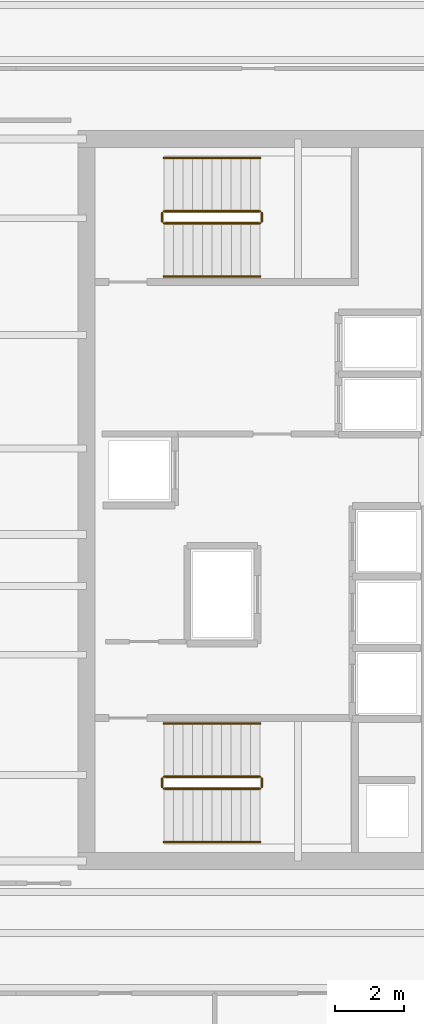
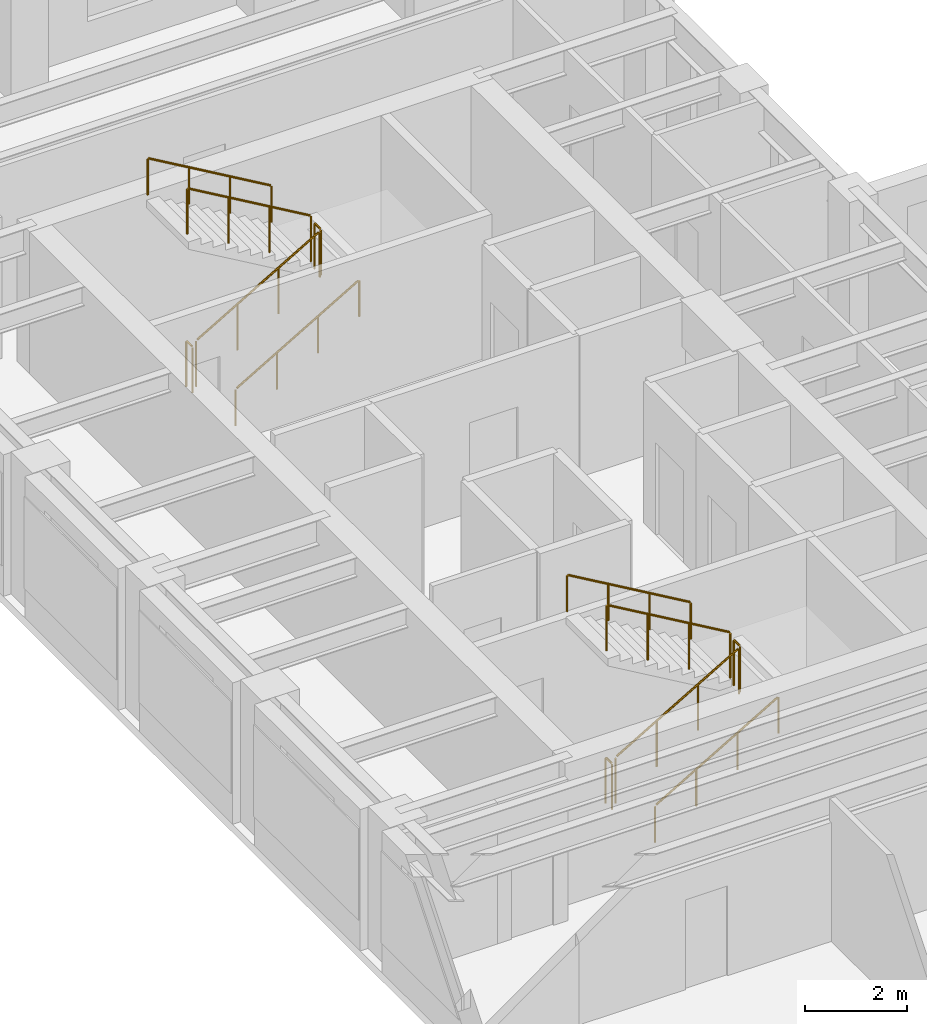
# One storey, part 11 of 12: 12 railings.
"""IFC4 building model written with IfcOpenShell, lengths in metres."""

from ifc_helpers import new_model, si_unit, direction, frame, origin, origin_2d, place, context, subcontext, project, spatial, circle, extrude, source, transform, mapped, material, layer, layer_set, type_object, element, save


model = new_model("IFC4")

# Units and contexts
model_context = context("Model", 3, precision=1e-05, world=origin(), true_north=direction((0.0, 1.0)))
body_context = subcontext(model_context, "Body", "Model", "MODEL_VIEW")
ifc_project = project(units=[si_unit("LENGTHUNIT", "METRE"), si_unit("AREAUNIT", "SQUARE_METRE"), si_unit("VOLUMEUNIT", "CUBIC_METRE"), si_unit("PLANEANGLEUNIT", "RADIAN"), si_unit("MASSUNIT", "GRAM", prefix="KILO")], contexts=[model_context])

# Site, building, storey
site_placement = place(None, origin())
site = spatial("IfcSite", under=ifc_project, at=site_placement, CompositionType="ELEMENT")
building_placement = place(site_placement, origin())
building = spatial("IfcBuilding", under=site, at=building_placement, Name="Kharzan Plaza Tower", CompositionType="ELEMENT")
storey_placement = place(building_placement, frame((0.0, 0.0, 255.60009765625)))
storey = spatial("IfcBuildingStorey", under=building, at=storey_placement, Name="L69", CompositionType="ELEMENT", Elevation=255.60009765625)

# Railings
ifc_material_1 = material(Name="Painted Galvanized Architectural Steel", Category="steel")
ifc_layer_1 = layer(ifc_material_1, 0.074951171875)
ifc_layer_set_1 = layer_set([ifc_layer_1], Name="Painted Galvanized Architectural Steel")
railing_type_1 = type_object("IfcRailingType", Name="RL-GUARD-1120", PredefinedType="BALUSTRADE", material=ifc_layer_set_1)
shared_shape_1 = source(origin(), body_context, "Body", "SweptSolid", [
    extrude(circle(Radius=0.02392578125, at=origin_2d()), frame((0.0, 0.0263671875, 1.09619140625), z_axis=(0.0, 1.0, 0.0), x_axis=(-1.0, 0.0, 0.0)), (0.0, 0.0, 1.0), 0.197021484375),
    extrude(circle(Radius=0.02099609375, at=origin_2d()), origin(), (0.0, 0.0, 1.0), 1.072021484375),
    extrude(circle(Radius=0.02099609375, at=origin_2d()), frame((0.0, 0.25, 0.0)), (0.0, 0.0, 1.0), 1.072021484375),
])
for number, where, name in (
    (1, (9.60009765625, 10.64990234375, 1.7998046875), "L69 ST-1 stair guard 2"),
    (2, (6.699951171875, 10.64990234375, 0.0), "L69 ST-1 stair guard 4"),
    (3, (9.60009765625, 27.10009765625, 1.7998046875), "L69 ST-2 stair guard 2"),
    (4, (6.699951171875, 27.10009765625, 0.0), "L69 ST-2 stair guard 4"),
):
    element("IfcRailing", number, at=place(storey_placement, frame(where)), inside=storey, type_object=railing_type_1, Name=name, PredefinedType="BALUSTRADE", context=body_context, shape_type="MappedRepresentation", body=[
        mapped(shared_shape_1, transform((0.0, 0.0, 0.0), x_axis=(1.0, 0.0, 0.0), y_axis=(0.0, 1.0, 0.0), z_axis=(0.0, 0.0, 1.0))),
    ])
shared_shape_2 = source(origin(), body_context, "Body", "SweptSolid", [
    extrude(circle(Radius=0.02392578125, at=origin_2d()), frame((0.02294921875, 0.0, 1.109375), z_axis=(0.863393664356, 0.0, 0.504530851732), x_axis=(0.0, 1.0, 0.0)), (0.0, 0.0, 1.0), 3.190185546875),
    extrude(circle(Radius=0.02099609375, at=origin_2d()), origin(), (0.0, 0.0, 1.0), 1.072021484375),
    extrude(circle(Radius=0.02099609375, at=origin_2d()), frame((0.933349609375, 0.0, 0.54541015625)), (0.0, 0.0, 1.0), 1.072021484375),
    extrude(circle(Radius=0.02099609375, at=origin_2d()), frame((1.86669921875, 0.0, 1.0908203125)), (0.0, 0.0, 1.0), 1.072021484375),
    extrude(circle(Radius=0.02099609375, at=origin_2d()), frame((2.800048828125, 0.0, 1.63623046875)), (0.0, 0.0, 1.0), 1.072021484375),
])
for number, where, name in (
    (5, (6.75, 10.60009765625, 0.16357421875), "L69 ST-1 stair guard 1"),
    (6, (6.75, 27.050048828125, 0.16357421875), "L69 ST-2 stair guard 1"),
):
    element("IfcRailing", number, at=place(storey_placement, frame(where)), inside=storey, type_object=railing_type_1, Name=name, PredefinedType="BALUSTRADE", context=body_context, shape_type="MappedRepresentation", body=[
        mapped(shared_shape_2, transform((0.0, 0.0, 0.0), x_axis=(1.0, 0.0, 0.0), y_axis=(0.0, 1.0, 0.0), z_axis=(0.0, 0.0, 1.0))),
    ])
shared_shape_3 = source(origin(), body_context, "Body", "SweptSolid", [
    extrude(circle(Radius=0.02392578125, at=origin_2d()), frame((-0.02294921875, 0.0, 1.109375), z_axis=(-0.863393664356, 0.0, 0.504530851732), x_axis=(0.0, -1.0, 0.0)), (0.0, 0.0, 1.0), 3.190185546875),
    extrude(circle(Radius=0.02099609375, at=origin_2d()), origin(), (0.0, 0.0, 1.0), 1.072021484375),
    extrude(circle(Radius=0.02099609375, at=origin_2d()), frame((-0.933349609375, 0.0, 0.54541015625)), (0.0, 0.0, 1.0), 1.072021484375),
    extrude(circle(Radius=0.02099609375, at=origin_2d()), frame((-1.86669921875, 0.0, 1.0908203125)), (0.0, 0.0, 1.0), 1.072021484375),
    extrude(circle(Radius=0.02099609375, at=origin_2d()), frame((-2.800048828125, 0.0, 1.63623046875)), (0.0, 0.0, 1.0), 1.072021484375),
])
for number, where, name in (
    (7, (9.550048828125, 10.949951171875, 1.963623046875), "L69 ST-1 stair guard 3"),
    (8, (9.550048828125, 27.39990234375, 1.963623046875), "L69 ST-2 stair guard 3"),
):
    element("IfcRailing", number, at=place(storey_placement, frame(where)), inside=storey, type_object=railing_type_1, Name=name, PredefinedType="BALUSTRADE", context=body_context, shape_type="MappedRepresentation", body=[
        mapped(shared_shape_3, transform((0.0, 0.0, 0.0), x_axis=(1.0, 0.0, 0.0), y_axis=(0.0, 1.0, 0.0), z_axis=(0.0, 0.0, 1.0))),
    ])
ifc_material_2 = material(Name="Brushed Stainless Steel", Category="steel")
ifc_layer_2 = layer(ifc_material_2, 0.050048828125)
ifc_layer_set_2 = layer_set([ifc_layer_2], Name="Brushed Stainless Steel")
railing_type_2 = type_object("IfcRailingType", Name="RL-STAIR-HR920", PredefinedType="HANDRAIL", material=ifc_layer_set_2)
shared_shape_4 = source(origin(), body_context, "Body", "SweptSolid", [
    extrude(circle(Radius=0.02392578125, at=origin_2d()), frame((0.02294921875, 0.0, 0.88916015625), z_axis=(0.863393664356, 0.0, 0.504530851732), x_axis=(0.0, 1.0, 0.0)), (0.0, 0.0, 1.0), 3.190185546875),
    extrude(circle(Radius=0.02099609375, at=origin_2d()), origin(), (0.0, 0.0, 1.0), 0.851806640625),
    extrude(circle(Radius=0.02099609375, at=origin_2d()), frame((0.933349609375, 0.0, 0.54541015625)), (0.0, 0.0, 1.0), 0.851806640625),
    extrude(circle(Radius=0.02099609375, at=origin_2d()), frame((1.86669921875, 0.0, 1.0908203125)), (0.0, 0.0, 1.0), 0.851806640625),
    extrude(circle(Radius=0.02099609375, at=origin_2d()), frame((2.800048828125, 0.0, 1.63623046875)), (0.0, 0.0, 1.0), 0.851806640625),
])
for number, where, name in (
    (9, (6.75, 9.050048828125, 0.16357421875), "L69 ST-1 stair handrail 1"),
    (10, (6.75, 25.5, 0.16357421875), "L69 ST-2 stair handrail 1"),
):
    element("IfcRailing", number, at=place(storey_placement, frame(where)), inside=storey, type_object=railing_type_2, Name=name, PredefinedType="HANDRAIL", context=body_context, shape_type="MappedRepresentation", body=[
        mapped(shared_shape_4, transform((0.0, 0.0, 0.0), x_axis=(1.0, 0.0, 0.0), y_axis=(0.0, 1.0, 0.0), z_axis=(0.0, 0.0, 1.0))),
    ])
shared_shape_5 = source(origin(), body_context, "Body", "SweptSolid", [
    extrude(circle(Radius=0.02392578125, at=origin_2d()), frame((-0.02294921875, 0.0, 0.88916015625), z_axis=(-0.863393664356, 0.0, 0.504530851732), x_axis=(0.0, -1.0, 0.0)), (0.0, 0.0, 1.0), 3.190185546875),
    extrude(circle(Radius=0.02099609375, at=origin_2d()), origin(), (0.0, 0.0, 1.0), 0.851806640625),
    extrude(circle(Radius=0.02099609375, at=origin_2d()), frame((-0.933349609375, 0.0, 0.54541015625)), (0.0, 0.0, 1.0), 0.851806640625),
    extrude(circle(Radius=0.02099609375, at=origin_2d()), frame((-1.86669921875, 0.0, 1.0908203125)), (0.0, 0.0, 1.0), 0.851806640625),
    extrude(circle(Radius=0.02099609375, at=origin_2d()), frame((-2.800048828125, 0.0, 1.63623046875)), (0.0, 0.0, 1.0), 0.851806640625),
])
for number, where, name in (
    (11, (9.550048828125, 12.5, 1.963623046875), "L69 ST-1 stair handrail 2"),
    (12, (9.550048828125, 28.949951171875, 1.963623046875), "L69 ST-2 stair handrail 2"),
):
    element("IfcRailing", number, at=place(storey_placement, frame(where)), inside=storey, type_object=railing_type_2, Name=name, PredefinedType="HANDRAIL", context=body_context, shape_type="MappedRepresentation", body=[
        mapped(shared_shape_5, transform((0.0, 0.0, 0.0), x_axis=(1.0, 0.0, 0.0), y_axis=(0.0, 1.0, 0.0), z_axis=(0.0, 0.0, 1.0))),
    ])

save(model, "model.ifc")
